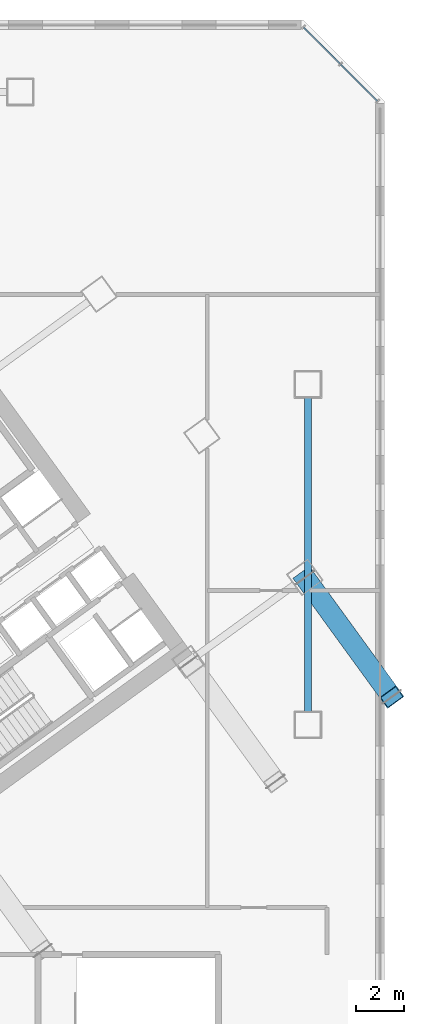
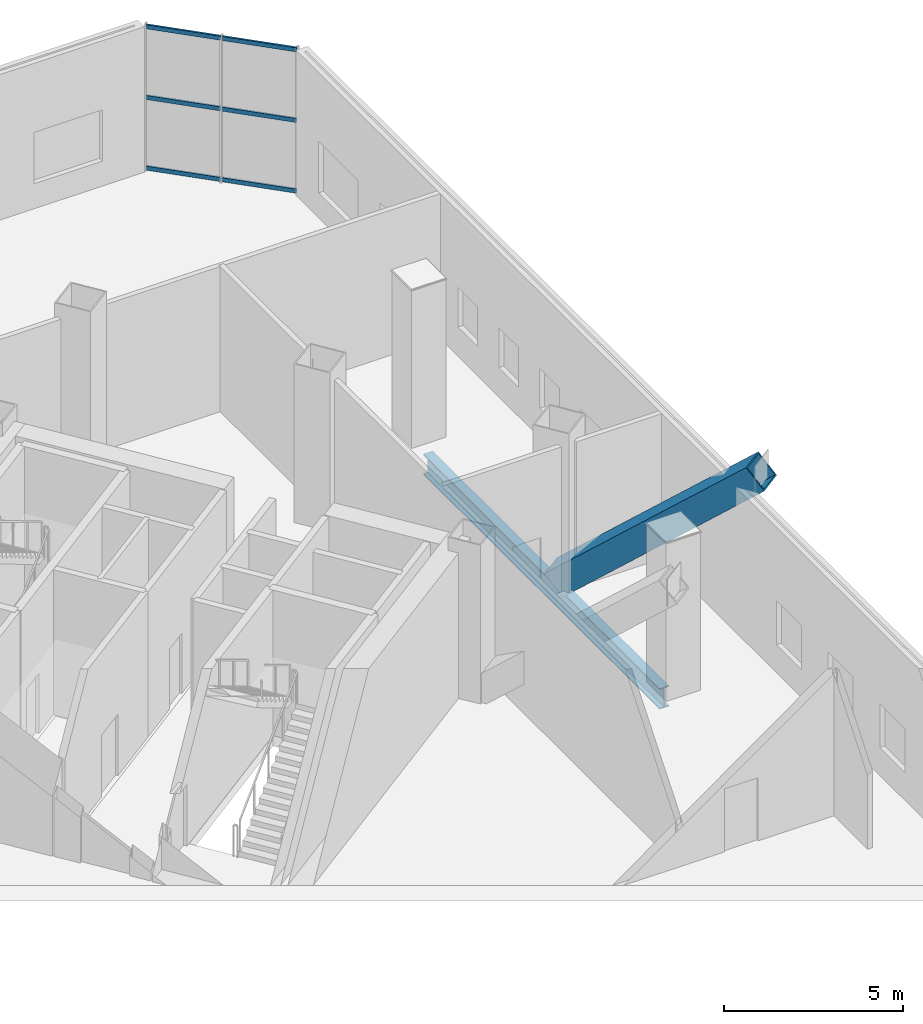
# One storey, part 7 of 23: 7 members, 1 beam, 1 element without a shape of its own.
"""IFC4 building model written with IfcOpenShell, lengths in metres."""

from ifc_helpers import new_model, si_unit, direction, frame, origin, origin_2d, place, context, subcontext, project, spatial, hollow_rectangle, i_section, extrude, source, transform, mapped, material, material_profile, profile_set, type_object, element, aggregate, save


model = new_model("IFC4")

# Units and contexts
model_context = context("Model", 3, precision=1e-05, world=origin(), true_north=direction((0.0, 1.0)))
body_context = subcontext(model_context, "Body", "Model", "MODEL_VIEW")
ifc_project = project(units=[si_unit("LENGTHUNIT", "METRE"), si_unit("AREAUNIT", "SQUARE_METRE"), si_unit("VOLUMEUNIT", "CUBIC_METRE"), si_unit("PLANEANGLEUNIT", "RADIAN"), si_unit("MASSUNIT", "GRAM", prefix="KILO")], contexts=[model_context])

# Site, building, storey
site_placement = place(None, origin())
site = spatial("IfcSite", under=ifc_project, at=site_placement, CompositionType="ELEMENT")
building_placement = place(site_placement, origin())
building = spatial("IfcBuilding", under=site, at=building_placement, Name="Tlacorven Tower", CompositionType="ELEMENT")
storey_placement = place(building_placement, frame((0.0, 0.0, 18.60009765625)))
storey = spatial("IfcBuildingStorey", under=building, at=storey_placement, Name="L04", CompositionType="ELEMENT", Elevation=18.60009765625)

# Beam
ifc_material_1 = material(Name="Steel S355J2", Category="steel")
ifc_material_profile_1 = material_profile(ifc_material_1, i_section(OverallWidth=0.300048828125, OverallDepth=0.699951171875, WebThickness=0.01708984375, FlangeThickness=0.031982421875, at=origin_2d()), Name="HEB 700")
ifc_profile_set_1 = profile_set([ifc_material_profile_1], Name="Steel S355J2")
beam_type = type_object("IfcBeamType", Name="BM-POD-700", PredefinedType="BEAM", material=ifc_profile_set_1)
shared_shape_1 = source(origin(), body_context, "Body", "SweptSolid", [
    extrude(i_section(OverallWidth=0.300048828125, OverallDepth=0.699951171875, WebThickness=0.01708984375, FlangeThickness=0.031982421875, at=origin_2d()), origin(), (0.0, 0.0, 1.0), 13.179931640625),
])
beam_placement = place(storey_placement, frame((67.39990234375, 17.7099609375, -0.7001953125), z_axis=(0.0, 1.0, 0.0), x_axis=(-1.0, 0.0, 0.0)))
element("IfcBeam", 1, at=beam_placement, inside=storey, type_object=beam_type, Name="L04 beam BM-L04-GY6-1", PredefinedType="BEAM", context=body_context, shape_type="MappedRepresentation", body=[
    mapped(shared_shape_1, transform((0.0, 0.0, 0.0), scale=1.0)),
])

# Member
ifc_material_2 = material(Name="Steel S460M", Category="steel")
ifc_material_profile_2 = material_profile(ifc_material_2, hollow_rectangle(XDim=0.85009765625, YDim=0.85009765625, WallThickness=0.0400390625, at=origin_2d()), Name="BOX 850X850X40")
ifc_profile_set_2 = profile_set([ifc_material_profile_2], Name="Steel S460M")
member_type_1 = type_object("IfcMemberType", Name="MB-RAK-INT", PredefinedType="STRUT", material=ifc_profile_set_2)
shared_shape_2 = source(origin(), body_context, "Body", "SweptSolid", [
    extrude(hollow_rectangle(XDim=0.85009765625, YDim=0.85009765625, WallThickness=0.0400390625, at=origin_2d()), origin(), (0.0, 0.0, 1.0), 8.161865234375),
])
member_1_placement = place(storey_placement, frame((67.281005859375, 23.335205078125, 0.01953125), z_axis=(0.443239867929, -0.610060541667, 0.656783491708), x_axis=(0.809013879318, 0.587789539776, 0.0)))
element("IfcMember", 2, at=member_1_placement, inside=storey, type_object=member_type_1, Name="L04 Podium-to-Tower Raking Transfer Strut E4", PredefinedType="STRUT", context=body_context, shape_type="MappedRepresentation", body=[
    mapped(shared_shape_2, transform((0.0, 0.0, 0.0), scale=1.0)),
])

# Curtain wall, members
ifc_material_3 = material(Name="Dark solar low-E double glazing in aluminium frame", Category="aluminium")
curtain_wall_type = type_object("IfcCurtainWallType", Name="CW-POD-CLINIC", PredefinedType="USERDEFINED", material=ifc_material_3)
curtain_wall_placement = place(storey_placement, origin())
curtain_wall = element("IfcCurtainWall", 3, at=curtain_wall_placement, inside=storey, type_object=curtain_wall_type, Name="L04 Podium Chamfer Curtain Wall 5", ObjectType="UNITISED CURTAIN WALL", PredefinedType="USERDEFINED")
ifc_material_4 = material(Name="Aluminium 6063-T6 anodised", Category="aluminium")
ifc_material_profile_3 = material_profile(ifc_material_4, hollow_rectangle(XDim=0.06005859375, YDim=0.139892578125, WallThickness=0.00390625, at=origin_2d()), Name="ALU TRANSOM 60X140")
ifc_profile_set_3 = profile_set([ifc_material_profile_3], Name="Aluminium 6063-T6 anodised")
member_type_2 = type_object("IfcMemberType", Name="CWT-02", PredefinedType="USERDEFINED", material=ifc_profile_set_3)
shared_shape_3 = source(origin(), body_context, "Body", "SweptSolid", [
    extrude(hollow_rectangle(XDim=0.06005859375, YDim=0.139892578125, WallThickness=0.00390625, at=origin_2d()), origin(), (0.0, 0.0, 1.0), 2.14794921875),
])
member_2_placement = place(storey_placement, frame((67.225341796875, 46.291748046875, 0.06982421875), z_axis=(0.707106781187, -0.707106781187, 0.0), x_axis=(0.707106781187, 0.707106781187, 0.0)))
member_2 = element("IfcMember", 4, at=member_2_placement, type_object=member_type_2, Name="CW-L04-019 Transom 1", ObjectType="TRANSOM", PredefinedType="USERDEFINED", context=body_context, shape_type="MappedRepresentation", body=[
    mapped(shared_shape_3, transform((0.0, 0.0, 0.0), scale=1.0)),
])
member_3_placement = place(storey_placement, frame((67.225341796875, 46.291748046875, 2.474853515625), z_axis=(0.707106781187, -0.707106781187, 0.0), x_axis=(0.707106781187, 0.707106781187, 0.0)))
member_3 = element("IfcMember", 5, at=member_3_placement, type_object=member_type_2, Name="CW-L04-019 Transom 2", ObjectType="TRANSOM", PredefinedType="USERDEFINED", context=body_context, shape_type="MappedRepresentation", body=[
    mapped(shared_shape_3, transform((0.0, 0.0, 0.0), scale=1.0)),
])
member_4_placement = place(storey_placement, frame((67.225341796875, 46.291748046875, 4.8798828125), z_axis=(0.707106781187, -0.707106781187, 0.0), x_axis=(0.707106781187, 0.707106781187, 0.0)))
member_4 = element("IfcMember", 6, at=member_4_placement, type_object=member_type_2, Name="CW-L04-019 Transom 3", ObjectType="TRANSOM", PredefinedType="USERDEFINED", context=body_context, shape_type="MappedRepresentation", body=[
    mapped(shared_shape_3, transform((0.0, 0.0, 0.0), scale=1.0)),
])
member_5_placement = place(storey_placement, frame((68.77294921875, 44.744140625, 0.06982421875), z_axis=(0.707106781187, -0.707106781187, 0.0), x_axis=(0.707106781187, 0.707106781187, 0.0)))
member_5 = element("IfcMember", 7, at=member_5_placement, type_object=member_type_2, Name="CW-L04-019 Transom 4", ObjectType="TRANSOM", PredefinedType="USERDEFINED", context=body_context, shape_type="MappedRepresentation", body=[
    mapped(shared_shape_3, transform((0.0, 0.0, 0.0), scale=1.0)),
])
member_6_placement = place(storey_placement, frame((68.77294921875, 44.744140625, 2.474853515625), z_axis=(0.707106781187, -0.707106781187, 0.0), x_axis=(0.707106781187, 0.707106781187, 0.0)))
member_6 = element("IfcMember", 8, at=member_6_placement, type_object=member_type_2, Name="CW-L04-019 Transom 5", ObjectType="TRANSOM", PredefinedType="USERDEFINED", context=body_context, shape_type="MappedRepresentation", body=[
    mapped(shared_shape_3, transform((0.0, 0.0, 0.0), scale=1.0)),
])
member_7_placement = place(storey_placement, frame((68.77294921875, 44.744140625, 4.8798828125), z_axis=(0.707106781187, -0.707106781187, 0.0), x_axis=(0.707106781187, 0.707106781187, 0.0)))
member_7 = element("IfcMember", 9, at=member_7_placement, type_object=member_type_2, Name="CW-L04-019 Transom 6", ObjectType="TRANSOM", PredefinedType="USERDEFINED", context=body_context, shape_type="MappedRepresentation", body=[
    mapped(shared_shape_3, transform((0.0, 0.0, 0.0), scale=1.0)),
])
aggregate(curtain_wall, [member_2, member_3, member_4, member_5, member_6, member_7])

save(model, "model.ifc")
